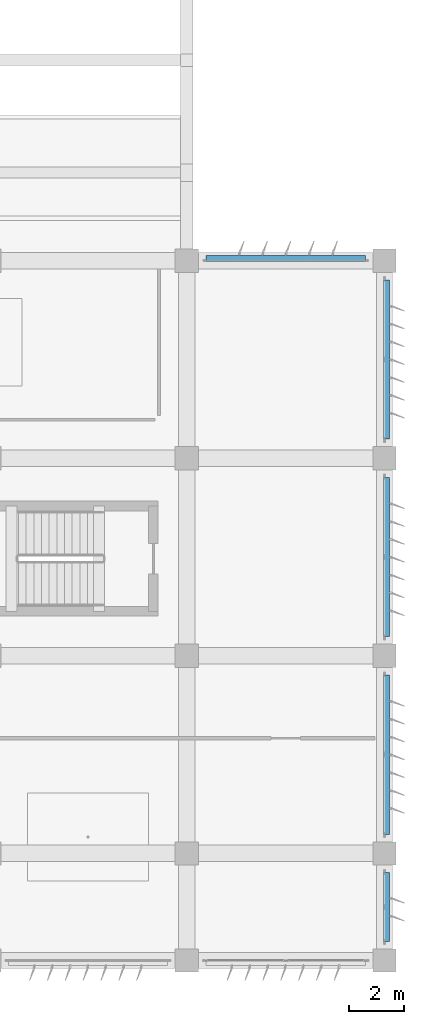
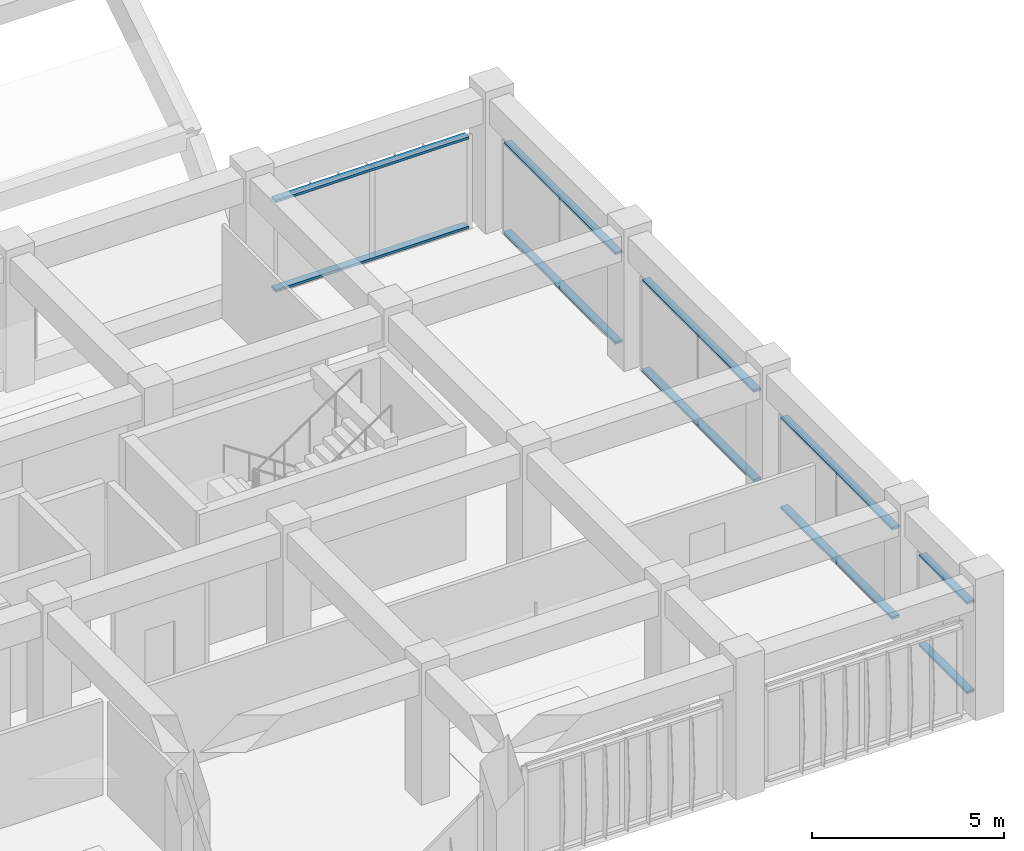
# One storey, part 38 of 48: 10 discrete accessories.
"""IFC4 building model written with IfcOpenShell, lengths in metres."""

from ifc_helpers import new_model, si_unit, direction, frame, origin, origin_2d, place, context, subcontext, project, spatial, rectangle, extrude, material, type_object, element, save


model = new_model("IFC4")

# Units and contexts
model_context = context("Model", 3, precision=1e-05, world=origin(), true_north=direction((0.0, 1.0)))
body_context = subcontext(model_context, "Body", "Model", "MODEL_VIEW")
ifc_project = project(units=[si_unit("LENGTHUNIT", "METRE"), si_unit("AREAUNIT", "SQUARE_METRE"), si_unit("VOLUMEUNIT", "CUBIC_METRE"), si_unit("PLANEANGLEUNIT", "RADIAN"), si_unit("MASSUNIT", "GRAM", prefix="KILO")], contexts=[model_context])

# Site, building, storey
site_placement = place(None, origin())
site = spatial("IfcSite", under=ifc_project, at=site_placement, CompositionType="ELEMENT")
building_placement = place(site_placement, origin())
building = spatial("IfcBuilding", under=site, at=building_placement, Name="Kazehaya Institute of Natural Sciences", CompositionType="ELEMENT")
storey_placement = place(building_placement, frame((0.0, 0.0, 19.800048828125)))
storey = spatial("IfcBuildingStorey", under=building, at=storey_placement, Name="L04", CompositionType="ELEMENT", Elevation=19.800048828125)

# Discrete accessories
ifc_material = material(Name="Aluminium alloy A6063S-T5", Category="aluminium")
discrete_accessory_type = type_object("IfcDiscreteAccessoryType", Name="ACC-BRK-01", PredefinedType="BRACKET", material=ifc_material)
for number, where, z_axis, x_axis, name in (
    (1, (115.800048828125, 35.675048828125, 0.039794921875), (0.0, 0.0, 1.0), (1.0, 0.0, 0.0), "L04 fin support outrigger rail 1"),
    (2, (115.800048828125, 35.675048828125, 2.8798828125), (0.0, 0.0, 1.0), (1.0, 0.0, 0.0), "L04 fin support outrigger rail 2"),
):
    element("IfcDiscreteAccessory", number, at=place(storey_placement, frame(where, z_axis=z_axis, x_axis=x_axis)), inside=storey, type_object=discrete_accessory_type, Name=name, PredefinedType="BRACKET", context=body_context, shape_type="SweptSolid", body=[
        extrude(rectangle(XDim=5.800048828125, YDim=0.219970703125, at=origin_2d()), origin(), (0.0, 0.0, 1.0), 0.080078125),
    ])
for number, where, z_axis, x_axis, name in (
    (3, (119.47509765625, 12.050048828125, 0.039794921875), (0.0, 0.0, 1.0), (0.0, -1.0, 0.0), "L04 fin support outrigger rail 1"),
    (4, (119.47509765625, 12.050048828125, 2.8798828125), (0.0, 0.0, 1.0), (0.0, -1.0, 0.0), "L04 fin support outrigger rail 2"),
):
    element("IfcDiscreteAccessory", number, at=place(storey_placement, frame(where, z_axis=z_axis, x_axis=x_axis)), inside=storey, type_object=discrete_accessory_type, Name=name, PredefinedType="BRACKET", context=body_context, shape_type="SweptSolid", body=[
        extrude(rectangle(XDim=2.5, YDim=0.219970703125, at=origin_2d()), origin(), (0.0, 0.0, 1.0), 0.080078125),
    ])
for number, where, z_axis, x_axis, name in (
    (5, (119.47509765625, 17.60009765625, 0.039794921875), (0.0, 0.0, 1.0), (0.0, -1.0, 0.0), "L04 fin support outrigger rail 1"),
    (6, (119.47509765625, 17.60009765625, 2.8798828125), (0.0, 0.0, 1.0), (0.0, -1.0, 0.0), "L04 fin support outrigger rail 2"),
    (7, (119.47509765625, 24.800048828125, 0.039794921875), (0.0, 0.0, 1.0), (0.0, -1.0, 0.0), "L04 fin support outrigger rail 1"),
    (8, (119.47509765625, 24.800048828125, 2.8798828125), (0.0, 0.0, 1.0), (0.0, -1.0, 0.0), "L04 fin support outrigger rail 2"),
    (9, (119.47509765625, 32.0, 0.039794921875), (0.0, 0.0, 1.0), (0.0, -1.0, 0.0), "L04 fin support outrigger rail 1"),
    (10, (119.47509765625, 32.0, 2.8798828125), (0.0, 0.0, 1.0), (0.0, -1.0, 0.0), "L04 fin support outrigger rail 2"),
):
    element("IfcDiscreteAccessory", number, at=place(storey_placement, frame(where, z_axis=z_axis, x_axis=x_axis)), inside=storey, type_object=discrete_accessory_type, Name=name, PredefinedType="BRACKET", context=body_context, shape_type="SweptSolid", body=[
        extrude(rectangle(XDim=5.800048828125, YDim=0.219970703125, at=origin_2d()), origin(), (0.0, 0.0, 1.0), 0.080078125),
    ])

save(model, "model.ifc")
